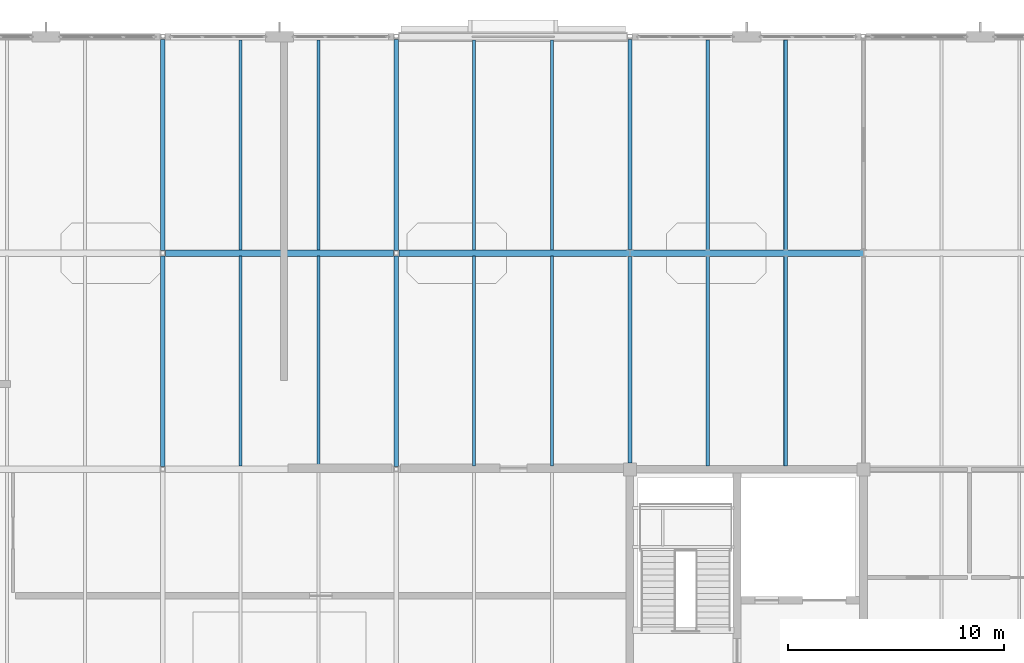
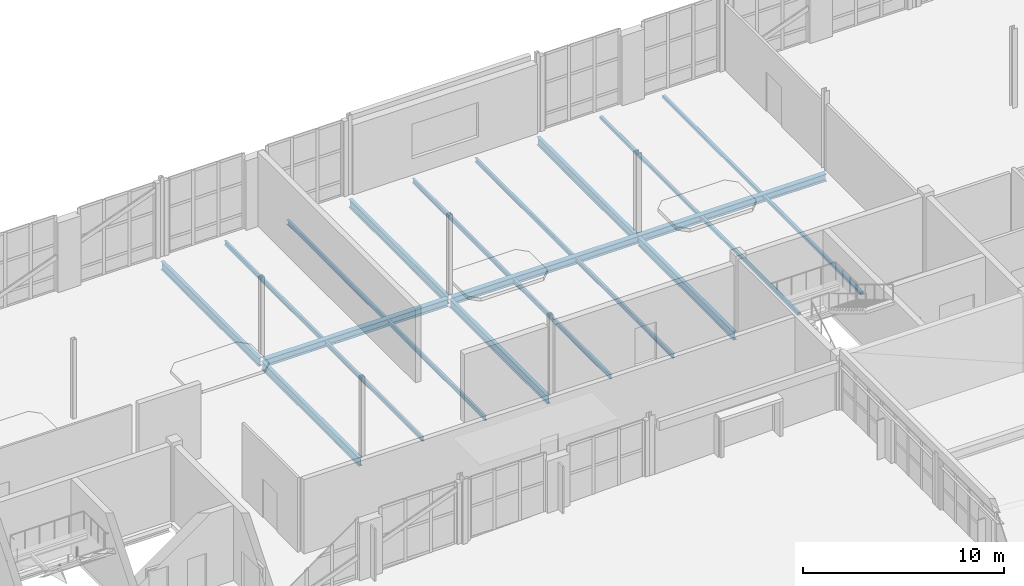
# One storey, part 48 of 86: 21 beams.
"""IFC4 building model written with IfcOpenShell, lengths in metres."""

import ifcopenshell
import ifcopenshell.guid

model = None  # the IFC model being written
_history = None  # IfcOwnerHistory: only IFC2X3 demands one
_inside = {}  # id of a spatial element -> (the spatial element, [elements in it])
_under = {}  # id of a project, library or spatial element -> (it, [spatial elements below it])
_declared = {}  # id of a project -> (the project, [libraries it declares])
_typed = {}  # id of a type object -> (the type object, [elements of that type])
_made_of = {}  # id of a material, layer set ... -> (it, [elements and type objects made of it])


def new_model(schema):
    """Start an empty IFC model of exactly this schema.

    Asked for "IFC4X3", IfcOpenShell would pick the latest addendum, in which some entities
    have other attributes; the version numbers below select the first issue.
    IFC2X3 requires an IfcOwnerHistory on every rooted entity: one is made here for all.
    """
    global model, _history
    if schema == "IFC4X3":
        model = ifcopenshell.file(schema_version=(4, 3, 0, 0))
    else:
        model = ifcopenshell.file(schema=schema)
    _inside.clear()
    _under.clear()
    _declared.clear()
    _typed.clear()
    _made_of.clear()
    _history = None
    if model.schema == "IFC2X3":
        org = make("IfcOrganization", Name="unknown")
        user = make(
            "IfcPersonAndOrganization",
            ThePerson=make("IfcPerson", FamilyName="unknown"),
            TheOrganization=org,
        )
        app = make(
            "IfcApplication",
            ApplicationDeveloper=org,
            Version="unknown",
            ApplicationFullName="unknown",
            ApplicationIdentifier="unknown",
        )
        _history = make(
            "IfcOwnerHistory",
            OwningUser=user,
            OwningApplication=app,
            ChangeAction="ADDED",
            CreationDate=0,
        )
    return model


def make(cls, **values):
    """One entity of the class cls with the attributes given. An attribute that is None is left unset."""
    return model.create_entity(
        cls, **{name: value for name, value in values.items() if value is not None}
    )


def rooted(cls, **values):
    """An entity with a GlobalId (a new one), such as an element, a storey or a relation."""
    return make(cls, GlobalId=ifcopenshell.guid.new(), OwnerHistory=_history, **values)


def si_unit(unit_type, name, prefix=None):
    """IfcSIUnit, for example si_unit("LENGTHUNIT", "METRE", prefix="MILLI")."""
    return make("IfcSIUnit", UnitType=unit_type, Prefix=prefix, Name=name)


def assignment(units):
    """IfcUnitAssignment: the units of a project."""
    return None if units is None else make("IfcUnitAssignment", Units=units)


def point(xyz):
    """IfcCartesianPoint."""
    return None if xyz is None else make("IfcCartesianPoint", Coordinates=xyz)


def direction(xyz):
    """IfcDirection."""
    return None if xyz is None else make("IfcDirection", DirectionRatios=xyz)


def frame(location, z_axis=None, x_axis=None):
    """IfcAxis2Placement3D, a coordinate frame: its origin and axes. An axis left out is left unset."""
    return make(
        "IfcAxis2Placement3D",
        Location=point(location),
        Axis=direction(z_axis),
        RefDirection=direction(x_axis),
    )


def frame_2d(location, x_axis=None):
    """IfcAxis2Placement2D, a coordinate frame in the plane: its origin and x axis."""
    return make(
        "IfcAxis2Placement2D", Location=point(location), RefDirection=direction(x_axis)
    )


def origin():
    """The frame at (0, 0, 0) with its axes left unset."""
    return frame((0.0, 0.0, 0.0))


def origin_2d():
    """The frame at (0, 0) in the plane with its x axis left unset."""
    return frame_2d((0.0, 0.0))


def place(relative_to, where):
    """IfcLocalPlacement: puts the frame where relative to a parent placement (None: the world)."""
    return make(
        "IfcLocalPlacement", PlacementRelTo=relative_to, RelativePlacement=where
    )


def context(
    kind, dimensions, precision=None, world=None, true_north=None, identifier=None
):
    """IfcGeometricRepresentationContext, for example the 3D "Model" context."""
    return make(
        "IfcGeometricRepresentationContext",
        ContextIdentifier=identifier,
        ContextType=kind,
        CoordinateSpaceDimension=dimensions,
        Precision=precision,
        WorldCoordinateSystem=world,
        TrueNorth=true_north,
    )


def subcontext(parent, identifier, kind, view, scale=None):
    """IfcGeometricRepresentationSubContext, for example "Body" below "Model"."""
    return make(
        "IfcGeometricRepresentationSubContext",
        ContextIdentifier=identifier,
        ContextType=kind,
        ParentContext=parent,
        TargetScale=scale,
        TargetView=view,
    )


def project(units=None, contexts=None):
    """IfcProject with its units and contexts."""
    return rooted(
        "IfcProject",
        Name="project",
        RepresentationContexts=contexts,
        UnitsInContext=assignment(units),
    )


def spatial(cls, under=None, at=None, **own):
    """A site, building, storey or space (cls), placed at a placement, below another one or the project."""
    s = rooted(cls, ObjectPlacement=at, **own)
    if under is not None:
        _under.setdefault(under.id(), (under, []))[1].append(s)
    return s


def profile(cls, at=None, kind="AREA", **sizes):
    """A parametric profile (cls). Its sizes go by their IFC names, for example OverallWidth=200.0."""
    return make(cls, ProfileType=kind, Position=at, **sizes)


def hollow_rectangle(**sizes):
    """IfcRectangleHollowProfileDef."""
    return profile("IfcRectangleHollowProfileDef", **sizes)


def i_section(**sizes):
    """IfcIShapeProfileDef."""
    return profile("IfcIShapeProfileDef", **sizes)


def extrude(swept, where, along, depth):
    """IfcExtrudedAreaSolid: the profile swept, set in the frame where, extruded along a direction by depth."""
    return make(
        "IfcExtrudedAreaSolid",
        SweptArea=swept,
        Position=where,
        ExtrudedDirection=direction(along),
        Depth=depth,
    )


def shape(context_of_items, identifier, shape_type, items):
    """IfcShapeRepresentation: the items that make up one representation, for example the "Body"."""
    return make(
        "IfcShapeRepresentation",
        ContextOfItems=context_of_items,
        RepresentationIdentifier=identifier,
        RepresentationType=shape_type,
        Items=items,
    )


def material(Name=None, Category=None):
    """IfcMaterial."""
    return make("IfcMaterial", Name=Name, Category=Category)


def material_profile(
    of_material, cross_section, Name=None, Category=None, Priority=None
):
    """IfcMaterialProfile: a cross section and its material."""
    return make(
        "IfcMaterialProfile",
        Name=Name,
        Material=of_material,
        Profile=cross_section,
        Priority=Priority,
        Category=Category,
    )


def profile_set(profiles, Name=None, composite=None):
    """IfcMaterialProfileSet."""
    return make(
        "IfcMaterialProfileSet",
        Name=Name,
        MaterialProfiles=profiles,
        CompositeProfile=composite,
    )


def made_of(thing, what):
    """Note that an element or type object is made of a material, layer set ...; save() writes the relation."""
    if what is not None:
        _made_of.setdefault(what.id(), (what, []))[1].append(thing)
    return thing


def type_object(cls, material=None, **own):
    """A type object (cls), such as IfcWallType, which elements share."""
    return made_of(rooted(cls, **own), material)


def element(
    cls,
    number,
    at=None,
    inside=None,
    cuts=None,
    type_object=None,
    material=None,
    context=None,
    identifier="Body",
    shape_type=None,
    held_by="IfcProductDefinitionShape",
    body=None,
    shapes=None,
    **own,
):
    """One element of the class cls, such as IfcWall. Its Tag is "e" and its number.

    at: its placement. inside: the storey or other place that contains it. cuts: it is an
    opening in that element (IfcRelVoidsElement). A single representation is given by context,
    identifier, shape_type and body (its items); several are given by shapes. held_by: the class
    of the entity that holds the representations. save() writes the other relations.
    """
    e = rooted(cls, Tag="e%d" % number, ObjectPlacement=at, **own)
    if body is not None:
        shapes = [shape(context, identifier, shape_type, body)]
    if shapes is not None:
        e.Representation = make(held_by, Representations=shapes)
    if inside is not None:
        _inside.setdefault(inside.id(), (inside, []))[1].append(e)
    if cuts is not None:
        rooted(
            "IfcRelVoidsElement", RelatingBuildingElement=cuts, RelatedOpeningElement=e
        )
    if type_object is not None:
        _typed.setdefault(type_object.id(), (type_object, []))[1].append(e)
    return made_of(e, material)


def aggregate(whole, parts):
    """IfcRelAggregates: a whole, such as a stair, and the parts it consists of."""
    return rooted("IfcRelAggregates", RelatingObject=whole, RelatedObjects=parts)


def save(model, path):
    """Write the relations noted so far, then the file.

    IfcRelAggregates (storeys below a building ...), IfcRelContainedInSpatialStructure (elements
    in a storey), IfcRelDefinesByType, IfcRelAssociatesMaterial and IfcRelDeclares: one each for
    every whole, place, type object, material and project.
    """
    for whole, parts in _under.values():
        aggregate(whole, parts)
    for where, things in _inside.values():
        rooted(
            "IfcRelContainedInSpatialStructure",
            RelatedElements=things,
            RelatingStructure=where,
        )
    for kind, things in _typed.values():
        rooted("IfcRelDefinesByType", RelatedObjects=things, RelatingType=kind)
    for what, things in _made_of.values():
        rooted("IfcRelAssociatesMaterial", RelatedObjects=things, RelatingMaterial=what)
    for by, libraries in _declared.values():
        rooted("IfcRelDeclares", RelatingContext=by, RelatedDefinitions=libraries)
    model.write(path)


model = new_model("IFC4")

# Units and contexts
model_context = context("Model", 3, precision=1e-05, world=origin(), true_north=direction((0.0, 1.0)))
body_context = subcontext(model_context, "Body", "Model", "MODEL_VIEW")
ifc_project = project(units=[si_unit("LENGTHUNIT", "METRE"), si_unit("AREAUNIT", "SQUARE_METRE"), si_unit("VOLUMEUNIT", "CUBIC_METRE"), si_unit("PLANEANGLEUNIT", "RADIAN"), si_unit("MASSUNIT", "GRAM", prefix="KILO")], contexts=[model_context])

# Site, building, storey
site_placement = place(None, origin())
site = spatial("IfcSite", under=ifc_project, at=site_placement, CompositionType="ELEMENT")
building_placement = place(site_placement, origin())
building = spatial("IfcBuilding", under=site, at=building_placement, Name="Tasgan Crest Museum", CompositionType="ELEMENT")
storey_placement = place(building_placement, frame((0.0, 0.0, 24.0)))
storey = spatial("IfcBuildingStorey", under=building, at=storey_placement, Name="L04", CompositionType="ELEMENT", Elevation=24.0)

# Beams
ifc_material_1 = material(Name="Steel S355J2", Category="steel")
ifc_material_profile_1 = material_profile(ifc_material_1, i_section(OverallWidth=0.300048828125, OverallDepth=0.43994140625, WebThickness=0.011474609375, FlangeThickness=0.02099609375, FilletRadius=0.027099609375, at=origin_2d()), Name="HEA 450")
ifc_profile_set_1 = profile_set([ifc_material_profile_1], Name="Steel S355J2")
beam_type_1 = type_object("IfcBeamType", Name="BM-G-HEA450", PredefinedType="BEAM", material=ifc_profile_set_1)
beam_1_placement = place(storey_placement, frame((32.52587890625, 102.0, -0.4599609375), z_axis=(1.0, 0.0, 0.0), x_axis=(0.0, 1.0, 0.0)))
element("IfcBeam", 1, at=beam_1_placement, inside=storey, type_object=beam_type_1, Name="Girder L04 L 32.4-43.2", PredefinedType="BEAM", context=body_context, shape_type="SweptSolid", body=[
    extrude(i_section(OverallWidth=0.300048828125, OverallDepth=0.43994140625, WebThickness=0.011474609375, FlangeThickness=0.02099609375, FilletRadius=0.027099609375, at=origin_2d()), origin(), (0.0, 0.0, 1.0), 10.548095703125),
])
beam_2_placement = place(storey_placement, frame((43.325927734375, 102.0, -0.4599609375), z_axis=(1.0, 0.0, 0.0), x_axis=(0.0, 1.0, 0.0)))
element("IfcBeam", 2, at=beam_2_placement, inside=storey, type_object=beam_type_1, Name="Girder L04 L 43.2-54.0", PredefinedType="BEAM", context=body_context, shape_type="SweptSolid", body=[
    extrude(i_section(OverallWidth=0.300048828125, OverallDepth=0.43994140625, WebThickness=0.011474609375, FlangeThickness=0.02099609375, FilletRadius=0.027099609375, at=origin_2d()), origin(), (0.0, 0.0, 1.0), 10.670166015625),
])
beam_3_placement = place(storey_placement, frame((54.00390625, 102.0, -0.4599609375), z_axis=(1.0, 0.0, 0.0), x_axis=(0.0, 1.0, 0.0)))
element("IfcBeam", 3, at=beam_3_placement, inside=storey, type_object=beam_type_1, Name="Girder L04 L 54.0-64.8", PredefinedType="BEAM", context=body_context, shape_type="SweptSolid", body=[
    extrude(i_section(OverallWidth=0.300048828125, OverallDepth=0.43994140625, WebThickness=0.011474609375, FlangeThickness=0.02099609375, FilletRadius=0.027099609375, at=origin_2d()), origin(), (0.0, 0.0, 1.0), 10.7919921875),
])
ifc_material_2 = material(Name="Steel S355J2", Category="steel")
ifc_material_profile_2 = material_profile(ifc_material_2, i_section(OverallWidth=0.199951171875, OverallDepth=0.5, WebThickness=0.01025390625, FlangeThickness=0.01611328125, FilletRadius=0.02099609375, at=origin_2d()), Name="IPE 500")
ifc_profile_set_2 = profile_set([ifc_material_profile_2], Name="Steel S355J2")
beam_type_2 = type_object("IfcBeamType", Name="BM-G-IPE500", PredefinedType="BEAM", material=ifc_profile_set_2)
for number, where, z_axis, x_axis, name in (
    (4, (32.39990234375, 92.125, -0.489990234375), (0.0, 1.0, 0.0), (-1.0, 0.0, 0.0), "Beam L04 4 92.0-102.0"),
    (5, (32.39990234375, 102.125, -0.489990234375), (0.0, 1.0, 0.0), (-1.0, 0.0, 0.0), "Beam L04 4 102.0-112.0"),
    (6, (43.199951171875, 92.125, -0.489990234375), (0.0, 1.0, 0.0), (-1.0, 0.0, 0.0), "Beam L04 5 92.0-102.0"),
    (7, (43.199951171875, 102.125, -0.489990234375), (0.0, 1.0, 0.0), (-1.0, 0.0, 0.0), "Beam L04 5 102.0-112.0"),
):
    element("IfcBeam", number, at=place(storey_placement, frame(where, z_axis=z_axis, x_axis=x_axis)), inside=storey, type_object=beam_type_2, Name=name, PredefinedType="BEAM", context=body_context, shape_type="SweptSolid", body=[
        extrude(i_section(OverallWidth=0.199951171875, OverallDepth=0.5, WebThickness=0.01025390625, FlangeThickness=0.01611328125, FilletRadius=0.02099609375, at=origin_2d()), origin(), (0.0, 0.0, 1.0), 9.75),
    ])
beam_4_placement = place(storey_placement, frame((54.0, 92.294921875, -0.489990234375), z_axis=(0.0, 1.0, 0.0), x_axis=(-1.0, 0.0, 0.0)))
element("IfcBeam", 8, at=beam_4_placement, inside=storey, type_object=beam_type_2, Name="Beam L04 6 92.0-102.0", PredefinedType="BEAM", context=body_context, shape_type="SweptSolid", body=[
    extrude(i_section(OverallWidth=0.199951171875, OverallDepth=0.5, WebThickness=0.01025390625, FlangeThickness=0.01611328125, FilletRadius=0.02099609375, at=origin_2d()), origin(), (0.0, 0.0, 1.0), 9.53515625),
])
beam_5_placement = place(storey_placement, frame((54.0, 102.169921875, -0.489990234375), z_axis=(0.0, 1.0, 0.0), x_axis=(-1.0, 0.0, 0.0)))
element("IfcBeam", 9, at=beam_5_placement, inside=storey, type_object=beam_type_2, Name="Beam L04 6 102.0-112.0", PredefinedType="BEAM", context=body_context, shape_type="SweptSolid", body=[
    extrude(i_section(OverallWidth=0.199951171875, OverallDepth=0.5, WebThickness=0.01025390625, FlangeThickness=0.01611328125, FilletRadius=0.02099609375, at=origin_2d()), origin(), (0.0, 0.0, 1.0), 9.705078125),
])
ifc_material_3 = material(Name="Steel S355J2", Category="steel")
ifc_material_profile_3 = material_profile(ifc_material_3, i_section(OverallWidth=0.135009765625, OverallDepth=0.27001953125, WebThickness=0.006591796875, FlangeThickness=0.01025390625, FilletRadius=0.014892578125, at=origin_2d()), Name="IPE 270")
ifc_profile_set_3 = profile_set([ifc_material_profile_3], Name="Steel S355J2")
beam_type_3 = type_object("IfcBeamType", Name="BM-J-IPE270", PredefinedType="JOIST", material=ifc_profile_set_3)
for number, where, z_axis, x_axis, name in (
    (10, (36.0, 92.14501953125, -0.375), (0.0, 1.0, 0.0), (-1.0, 0.0, 0.0), "Secondary joist L04 X=36.0 Y=92.0-102.0"),
    (11, (39.60009765625, 92.14501953125, -0.375), (0.0, 1.0, 0.0), (-1.0, 0.0, 0.0), "Secondary joist L04 X=39.6 Y=92.0-102.0"),
    (12, (36.0, 102.14501953125, -0.375), (0.0, 1.0, 0.0), (-1.0, 0.0, 0.0), "Secondary joist L04 X=36.0 Y=102.0-112.0"),
    (13, (39.60009765625, 102.14501953125, -0.375), (0.0, 1.0, 0.0), (-1.0, 0.0, 0.0), "Secondary joist L04 X=39.6 Y=102.0-112.0"),
    (14, (46.800048828125, 92.14501953125, -0.375), (0.0, 1.0, 0.0), (-1.0, 0.0, 0.0), "Secondary joist L04 X=46.8 Y=92.0-102.0"),
    (15, (50.39990234375, 92.14501953125, -0.375), (0.0, 1.0, 0.0), (-1.0, 0.0, 0.0), "Secondary joist L04 X=50.4 Y=92.0-102.0"),
    (16, (46.800048828125, 102.14501953125, -0.375), (0.0, 1.0, 0.0), (-1.0, 0.0, 0.0), "Secondary joist L04 X=46.8 Y=102.0-112.0"),
    (17, (50.39990234375, 102.14501953125, -0.375), (0.0, 1.0, 0.0), (-1.0, 0.0, 0.0), "Secondary joist L04 X=50.4 Y=102.0-112.0"),
):
    element("IfcBeam", number, at=place(storey_placement, frame(where, z_axis=z_axis, x_axis=x_axis)), inside=storey, type_object=beam_type_3, Name=name, PredefinedType="JOIST", context=body_context, shape_type="SweptSolid", body=[
        extrude(i_section(OverallWidth=0.135009765625, OverallDepth=0.27001953125, WebThickness=0.006591796875, FlangeThickness=0.01025390625, FilletRadius=0.014892578125, at=origin_2d()), origin(), (0.0, 0.0, 1.0), 9.7099609375),
    ])
ifc_material_4 = material(Name="Steel S355J2", Category="steel")
ifc_material_profile_4 = material_profile(ifc_material_4, hollow_rectangle(XDim=0.179931640625, YDim=0.179931640625, WallThickness=0.010009765625, InnerFilletRadius=0.010009765625, OuterFilletRadius=0.02001953125, at=origin_2d()), Name="SHS 180x180x10")
ifc_profile_set_4 = profile_set([ifc_material_profile_4], Name="Steel S355J2")
beam_type_4 = type_object("IfcBeamType", Name="BM-J-SHS180", PredefinedType="JOIST", material=ifc_profile_set_4)
for number, where, z_axis, x_axis, name in (
    (18, (57.60009765625, 92.14501953125, -0.330078125), (0.0, 1.0, 0.0), (-1.0, 0.0, 0.0), "Secondary joist L04 X=57.6 Y=92.0-102.0"),
    (19, (61.199951171875, 92.14501953125, -0.330078125), (0.0, 1.0, 0.0), (-1.0, 0.0, 0.0), "Secondary joist L04 X=61.2 Y=92.0-102.0"),
    (20, (57.60009765625, 102.14501953125, -0.330078125), (0.0, 1.0, 0.0), (-1.0, 0.0, 0.0), "Secondary joist L04 X=57.6 Y=102.0-112.0"),
    (21, (61.199951171875, 102.14501953125, -0.330078125), (0.0, 1.0, 0.0), (-1.0, 0.0, 0.0), "Secondary joist L04 X=61.2 Y=102.0-112.0"),
):
    element("IfcBeam", number, at=place(storey_placement, frame(where, z_axis=z_axis, x_axis=x_axis)), inside=storey, type_object=beam_type_4, Name=name, PredefinedType="JOIST", context=body_context, shape_type="SweptSolid", body=[
        extrude(hollow_rectangle(XDim=0.179931640625, YDim=0.179931640625, WallThickness=0.010009765625, InnerFilletRadius=0.010009765625, OuterFilletRadius=0.02001953125, at=origin_2d()), origin(), (0.0, 0.0, 1.0), 9.7099609375),
    ])

save(model, "model.ifc")
